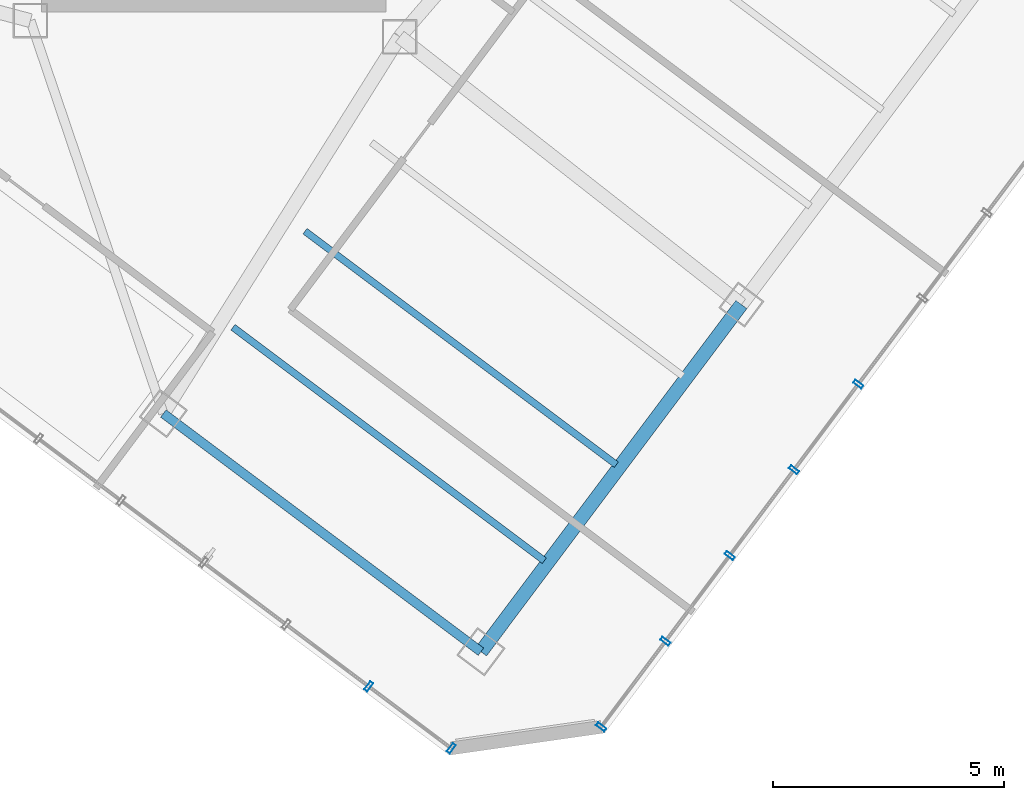
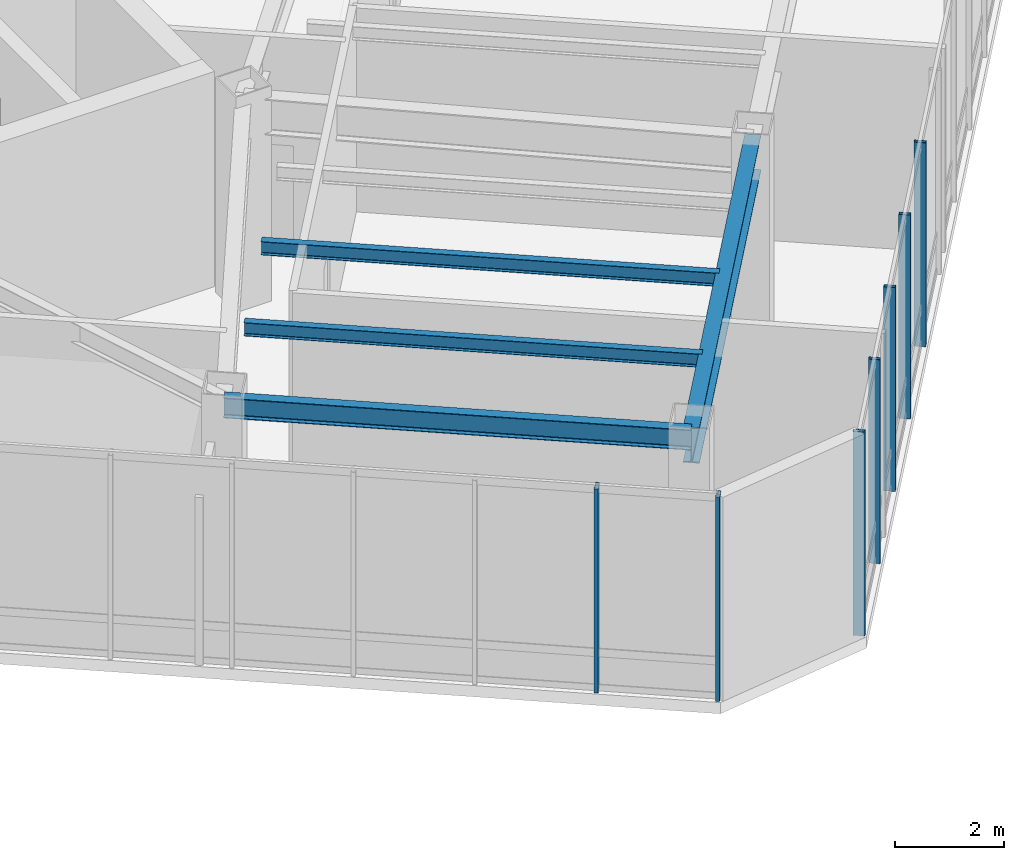
# One storey, part 7 of 21: 7 members, 4 beams, 2 elements without a shape of their own.
"""IFC4 building model written with IfcOpenShell, lengths in metres."""

from ifc_helpers import new_model, si_unit, direction, frame, origin, origin_2d, place, context, subcontext, project, spatial, hollow_rectangle, i_section, extrude, material, layer, layer_set, material_profile, profile_set, type_object, element, aggregate, save


model = new_model("IFC4")

# Units and contexts
model_context = context("Model", 3, precision=1e-05, world=origin(), true_north=direction((0.0, 1.0)))
body_context = subcontext(model_context, "Body", "Model", "MODEL_VIEW")
ifc_project = project(units=[si_unit("LENGTHUNIT", "METRE"), si_unit("AREAUNIT", "SQUARE_METRE"), si_unit("VOLUMEUNIT", "CUBIC_METRE"), si_unit("PLANEANGLEUNIT", "RADIAN"), si_unit("MASSUNIT", "GRAM", prefix="KILO")], contexts=[model_context])

# Site, building, storey
site_placement = place(None, origin())
site = spatial("IfcSite", under=ifc_project, at=site_placement, CompositionType="ELEMENT")
building_placement = place(site_placement, origin())
building = spatial("IfcBuilding", under=site, at=building_placement, Name="Hatsunagi Terrace Concourse", CompositionType="ELEMENT")
storey_placement = place(building_placement, frame((0.0, 0.0, 186.75)))
storey = spatial("IfcBuildingStorey", under=building, at=storey_placement, Name="L49", CompositionType="ELEMENT", Elevation=186.75)

# Curtain wall, members
ifc_material_1 = material(Name="Anodised Aluminium Alloy 6063-T5", Category="aluminium")
ifc_layer = layer(ifc_material_1, 0.199951171875)
ifc_layer_set = layer_set([ifc_layer], Name="SkyLobbyAtrium_CW05")
curtain_wall_type = type_object("IfcCurtainWallType", Name="SkyLobbyAtrium_CW05", PredefinedType="NOTDEFINED", material=ifc_layer_set)
curtain_wall_1_placement = place(storey_placement, origin())
curtain_wall_1 = element("IfcCurtainWall", 1, at=curtain_wall_1_placement, inside=storey, type_object=curtain_wall_type, Name="Unitised Curtain Wall CW-05 CW-L49-03", PredefinedType="NOTDEFINED")
ifc_material_2 = material(Name="Anodised Aluminium Alloy 6063-T5", Category="aluminium")
ifc_material_profile_1 = material_profile(ifc_material_2, hollow_rectangle(XDim=0.080078125, YDim=0.219970703125, WallThickness=0.0048828125, at=origin_2d()), Name="ALU-MUL-220x80x5")
ifc_profile_set_1 = profile_set([ifc_material_profile_1], Name="Anodised Aluminium Alloy 6063-T5")
member_type = type_object("IfcMemberType", Name="CurtainWallMullion_Heavy_220x80", PredefinedType="MULLION", material=ifc_profile_set_1)
member_1_placement = place(storey_placement, frame((53.73193359375, 16.676025390625, 0.0), z_axis=(0.0, 0.0, 1.0), x_axis=(-0.599969314634, -0.800023013105, 0.0)))
member_1 = element("IfcMember", 2, at=member_1_placement, type_object=member_type, Name="Curtain Wall Mullion MUL-01", PredefinedType="MULLION", context=body_context, shape_type="SweptSolid", body=[
    extrude(hollow_rectangle(XDim=0.080078125, YDim=0.219970703125, WallThickness=0.0048828125, at=origin_2d()), origin(), (0.0, 0.0, 1.0), 4.550048828125),
])
member_2_placement = place(storey_placement, frame((52.340087890625, 14.819091796875, 0.0), z_axis=(0.0, 0.0, 1.0), x_axis=(-0.599969314634, -0.800023013105, 0.0)))
member_2 = element("IfcMember", 3, at=member_2_placement, type_object=member_type, Name="Curtain Wall Mullion MUL-01", PredefinedType="MULLION", context=body_context, shape_type="SweptSolid", body=[
    extrude(hollow_rectangle(XDim=0.080078125, YDim=0.219970703125, WallThickness=0.0048828125, at=origin_2d()), origin(), (0.0, 0.0, 1.0), 4.550048828125),
])
member_3_placement = place(storey_placement, frame((50.947021484375, 12.962890625, 0.0), z_axis=(0.0, 0.0, 1.0), x_axis=(-0.599969314634, -0.800023013105, 0.0)))
member_3 = element("IfcMember", 4, at=member_3_placement, type_object=member_type, Name="Curtain Wall Mullion MUL-01", PredefinedType="MULLION", context=body_context, shape_type="SweptSolid", body=[
    extrude(hollow_rectangle(XDim=0.080078125, YDim=0.219970703125, WallThickness=0.0048828125, at=origin_2d()), origin(), (0.0, 0.0, 1.0), 4.550048828125),
])
member_4_placement = place(storey_placement, frame((49.554931640625, 11.10595703125, 0.0), z_axis=(0.0, 0.0, 1.0), x_axis=(-0.599969314634, -0.800023013105, 0.0)))
member_4 = element("IfcMember", 5, at=member_4_placement, type_object=member_type, Name="Curtain Wall Mullion MUL-01", PredefinedType="MULLION", context=body_context, shape_type="SweptSolid", body=[
    extrude(hollow_rectangle(XDim=0.080078125, YDim=0.219970703125, WallThickness=0.0048828125, at=origin_2d()), origin(), (0.0, 0.0, 1.0), 4.550048828125),
])
member_5_placement = place(storey_placement, frame((48.1630859375, 9.25, 0.0), z_axis=(0.0, 0.0, 1.0), x_axis=(-0.599969314634, -0.800023013105, 0.0)))
member_5 = element("IfcMember", 6, at=member_5_placement, type_object=member_type, Name="Curtain Wall Mullion MUL-01", PredefinedType="MULLION", context=body_context, shape_type="SweptSolid", body=[
    extrude(hollow_rectangle(XDim=0.080078125, YDim=0.219970703125, WallThickness=0.0048828125, at=origin_2d()), origin(), (0.0, 0.0, 1.0), 4.550048828125),
])
aggregate(curtain_wall_1, [member_1, member_2, member_3, member_4, member_5])

curtain_wall_2_placement = place(storey_placement, origin())
curtain_wall_2 = element("IfcCurtainWall", 7, at=curtain_wall_2_placement, inside=storey, type_object=curtain_wall_type, Name="Unitised Curtain Wall CW-05 CW-L49-05", PredefinedType="NOTDEFINED")
member_6_placement = place(storey_placement, frame((44.91796875, 8.787109375, 0.0), z_axis=(0.0, 0.0, 1.0), x_axis=(-0.800005211305, 0.599993051531, 0.0)))
member_6 = element("IfcMember", 8, at=member_6_placement, type_object=member_type, Name="Curtain Wall Mullion MUL-01", PredefinedType="MULLION", context=body_context, shape_type="SweptSolid", body=[
    extrude(hollow_rectangle(XDim=0.080078125, YDim=0.219970703125, WallThickness=0.0048828125, at=origin_2d()), origin(), (0.0, 0.0, 1.0), 4.550048828125),
])
member_7_placement = place(storey_placement, frame((43.1298828125, 10.1279296875, 0.0), z_axis=(0.0, 0.0, 1.0), x_axis=(-0.800005211305, 0.599993051531, 0.0)))
member_7 = element("IfcMember", 9, at=member_7_placement, type_object=member_type, Name="Curtain Wall Mullion MUL-01", PredefinedType="MULLION", context=body_context, shape_type="SweptSolid", body=[
    extrude(hollow_rectangle(XDim=0.080078125, YDim=0.219970703125, WallThickness=0.0048828125, at=origin_2d()), origin(), (0.0, 0.0, 1.0), 4.550048828125),
])
aggregate(curtain_wall_2, [member_6, member_7])

# Beams
ifc_material_3 = material(Name="Steel SN490B", Category="steel")
ifc_material_profile_2 = material_profile(ifc_material_3, i_section(OverallWidth=0.14990234375, OverallDepth=0.300048828125, WebThickness=0.006591796875, FlangeThickness=0.009033203125, FilletRadius=0.010986328125, at=origin_2d()), Name="H-300x150x6.5x9")
ifc_profile_set_2 = profile_set([ifc_material_profile_2], Name="Steel SN490B")
beam_type_1 = type_object("IfcBeamType", Name="OfficeJoist_H_300x150", PredefinedType="JOIST", material=ifc_profile_set_2)
for number, where, z_axis, x_axis, name in (
    (10, (40.18798828125, 17.908935546875, 4.39990234375), (0.800003475366, -0.59999536615, 0.0), (0.59999536615, 0.800003475366, 0.0), "Beam J-03 J-L49-SE-2-46"),
    (11, (41.748046875, 19.989013671875, 4.39990234375), (0.799989573921, -0.600013901187, 0.0), (0.600013901187, 0.799989573921, 0.0), "Beam J-03 J-L49-SE-2-72"),
):
    element("IfcBeam", number, at=place(storey_placement, frame(where, z_axis=z_axis, x_axis=x_axis)), inside=storey, type_object=beam_type_1, Name=name, PredefinedType="JOIST", context=body_context, shape_type="SweptSolid", body=[
        extrude(i_section(OverallWidth=0.14990234375, OverallDepth=0.300048828125, WebThickness=0.006591796875, FlangeThickness=0.009033203125, FilletRadius=0.010986328125, at=origin_2d()), origin(), (0.0, 0.0, 1.0), 8.429931640625),
    ])
ifc_material_4 = material(Name="Steel SN490B", Category="steel")
ifc_material_profile_3 = material_profile(ifc_material_4, i_section(OverallWidth=0.199951171875, OverallDepth=0.449951171875, WebThickness=0.009033203125, FlangeThickness=0.013916015625, FilletRadius=0.01611328125, at=origin_2d()), Name="H-450x200x9x14")
ifc_profile_set_3 = profile_set([ifc_material_profile_3], Name="Steel SN490B")
beam_type_2 = type_object("IfcBeamType", Name="PerimeterSpandrel_H_450x200", PredefinedType="SPANDREL", material=ifc_profile_set_3)
beam_1_placement = place(storey_placement, frame((38.679931640625, 16.0400390625, 4.324951171875), z_axis=(0.799996593451, -0.600004542038, 0.0), x_axis=(0.600004542038, 0.799996593451, 0.0)))
element("IfcBeam", 12, at=beam_1_placement, inside=storey, type_object=beam_type_2, Name="Beam SP-02 BM-L49-SE-SW2", PredefinedType="SPANDREL", context=body_context, shape_type="SweptSolid", body=[
    extrude(i_section(OverallWidth=0.199951171875, OverallDepth=0.449951171875, WebThickness=0.009033203125, FlangeThickness=0.013916015625, FilletRadius=0.01611328125, at=origin_2d()), origin(), (0.0, 0.0, 1.0), 8.60009765625),
])
ifc_material_5 = material(Name="Steel SN490B", Category="steel")
ifc_material_profile_4 = material_profile(ifc_material_5, i_section(OverallWidth=0.300048828125, OverallDepth=0.800048828125, WebThickness=0.013916015625, FlangeThickness=0.02587890625, FilletRadius=0.02197265625, at=origin_2d()), Name="H-800x300x14x26")
ifc_profile_set_4 = profile_set([ifc_material_profile_4], Name="Steel SN490B")
beam_type_3 = type_object("IfcBeamType", Name="SkyLobbyGirder_H_800x300", PredefinedType="BEAM", material=ifc_profile_set_4)
beam_2_placement = place(storey_placement, frame((45.56005859375, 10.8798828125, 4.14990234375), z_axis=(0.599991688754, 0.800006233367, 0.0), x_axis=(-0.800006233367, 0.599991688754, 0.0)))
element("IfcBeam", 13, at=beam_2_placement, inside=storey, type_object=beam_type_3, Name="Beam G-03 BM-L49-SET-2A", PredefinedType="BEAM", context=body_context, shape_type="SweptSolid", body=[
    extrude(i_section(OverallWidth=0.300048828125, OverallDepth=0.800048828125, WebThickness=0.013916015625, FlangeThickness=0.02587890625, FilletRadius=0.02197265625, at=origin_2d()), origin(), (0.0, 0.0, 1.0), 9.39990234375),
])

save(model, "model.ifc")
